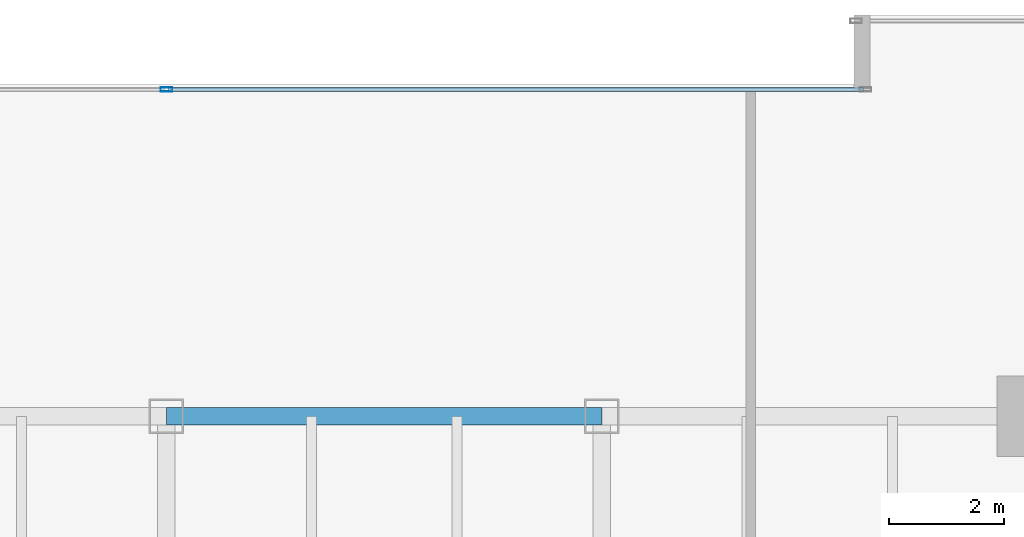
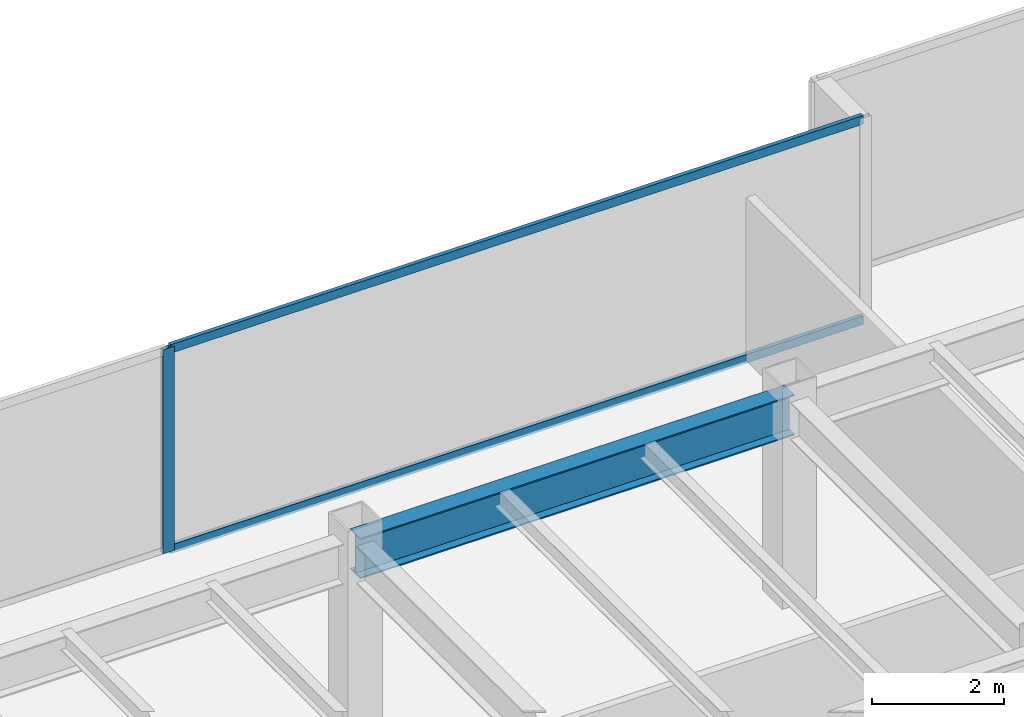
# One storey, part 18 of 35: 3 members, 1 beam, 1 element without a shape of its own.
"""IFC4 building model written with IfcOpenShell, lengths in metres."""

import ifcopenshell
import ifcopenshell.guid

model = None  # the IFC model being written
_history = None  # IfcOwnerHistory: only IFC2X3 demands one
_inside = {}  # id of a spatial element -> (the spatial element, [elements in it])
_under = {}  # id of a project, library or spatial element -> (it, [spatial elements below it])
_declared = {}  # id of a project -> (the project, [libraries it declares])
_typed = {}  # id of a type object -> (the type object, [elements of that type])
_made_of = {}  # id of a material, layer set ... -> (it, [elements and type objects made of it])


def new_model(schema):
    """Start an empty IFC model of exactly this schema.

    Asked for "IFC4X3", IfcOpenShell would pick the latest addendum, in which some entities
    have other attributes; the version numbers below select the first issue.
    IFC2X3 requires an IfcOwnerHistory on every rooted entity: one is made here for all.
    """
    global model, _history
    if schema == "IFC4X3":
        model = ifcopenshell.file(schema_version=(4, 3, 0, 0))
    else:
        model = ifcopenshell.file(schema=schema)
    _inside.clear()
    _under.clear()
    _declared.clear()
    _typed.clear()
    _made_of.clear()
    _history = None
    if model.schema == "IFC2X3":
        org = make("IfcOrganization", Name="unknown")
        user = make(
            "IfcPersonAndOrganization",
            ThePerson=make("IfcPerson", FamilyName="unknown"),
            TheOrganization=org,
        )
        app = make(
            "IfcApplication",
            ApplicationDeveloper=org,
            Version="unknown",
            ApplicationFullName="unknown",
            ApplicationIdentifier="unknown",
        )
        _history = make(
            "IfcOwnerHistory",
            OwningUser=user,
            OwningApplication=app,
            ChangeAction="ADDED",
            CreationDate=0,
        )
    return model


def make(cls, **values):
    """One entity of the class cls with the attributes given. An attribute that is None is left unset."""
    return model.create_entity(
        cls, **{name: value for name, value in values.items() if value is not None}
    )


def rooted(cls, **values):
    """An entity with a GlobalId (a new one), such as an element, a storey or a relation."""
    return make(cls, GlobalId=ifcopenshell.guid.new(), OwnerHistory=_history, **values)


def si_unit(unit_type, name, prefix=None):
    """IfcSIUnit, for example si_unit("LENGTHUNIT", "METRE", prefix="MILLI")."""
    return make("IfcSIUnit", UnitType=unit_type, Prefix=prefix, Name=name)


def assignment(units):
    """IfcUnitAssignment: the units of a project."""
    return None if units is None else make("IfcUnitAssignment", Units=units)


def point(xyz):
    """IfcCartesianPoint."""
    return None if xyz is None else make("IfcCartesianPoint", Coordinates=xyz)


def direction(xyz):
    """IfcDirection."""
    return None if xyz is None else make("IfcDirection", DirectionRatios=xyz)


def frame(location, z_axis=None, x_axis=None):
    """IfcAxis2Placement3D, a coordinate frame: its origin and axes. An axis left out is left unset."""
    return make(
        "IfcAxis2Placement3D",
        Location=point(location),
        Axis=direction(z_axis),
        RefDirection=direction(x_axis),
    )


def frame_2d(location, x_axis=None):
    """IfcAxis2Placement2D, a coordinate frame in the plane: its origin and x axis."""
    return make(
        "IfcAxis2Placement2D", Location=point(location), RefDirection=direction(x_axis)
    )


def origin():
    """The frame at (0, 0, 0) with its axes left unset."""
    return frame((0.0, 0.0, 0.0))


def origin_2d():
    """The frame at (0, 0) in the plane with its x axis left unset."""
    return frame_2d((0.0, 0.0))


def place(relative_to, where):
    """IfcLocalPlacement: puts the frame where relative to a parent placement (None: the world)."""
    return make(
        "IfcLocalPlacement", PlacementRelTo=relative_to, RelativePlacement=where
    )


def context(
    kind, dimensions, precision=None, world=None, true_north=None, identifier=None
):
    """IfcGeometricRepresentationContext, for example the 3D "Model" context."""
    return make(
        "IfcGeometricRepresentationContext",
        ContextIdentifier=identifier,
        ContextType=kind,
        CoordinateSpaceDimension=dimensions,
        Precision=precision,
        WorldCoordinateSystem=world,
        TrueNorth=true_north,
    )


def subcontext(parent, identifier, kind, view, scale=None):
    """IfcGeometricRepresentationSubContext, for example "Body" below "Model"."""
    return make(
        "IfcGeometricRepresentationSubContext",
        ContextIdentifier=identifier,
        ContextType=kind,
        ParentContext=parent,
        TargetScale=scale,
        TargetView=view,
    )


def project(units=None, contexts=None):
    """IfcProject with its units and contexts."""
    return rooted(
        "IfcProject",
        Name="project",
        RepresentationContexts=contexts,
        UnitsInContext=assignment(units),
    )


def spatial(cls, under=None, at=None, **own):
    """A site, building, storey or space (cls), placed at a placement, below another one or the project."""
    s = rooted(cls, ObjectPlacement=at, **own)
    if under is not None:
        _under.setdefault(under.id(), (under, []))[1].append(s)
    return s


def profile(cls, at=None, kind="AREA", **sizes):
    """A parametric profile (cls). Its sizes go by their IFC names, for example OverallWidth=200.0."""
    return make(cls, ProfileType=kind, Position=at, **sizes)


def hollow_rectangle(**sizes):
    """IfcRectangleHollowProfileDef."""
    return profile("IfcRectangleHollowProfileDef", **sizes)


def i_section(**sizes):
    """IfcIShapeProfileDef."""
    return profile("IfcIShapeProfileDef", **sizes)


def extrude(swept, where, along, depth):
    """IfcExtrudedAreaSolid: the profile swept, set in the frame where, extruded along a direction by depth."""
    return make(
        "IfcExtrudedAreaSolid",
        SweptArea=swept,
        Position=where,
        ExtrudedDirection=direction(along),
        Depth=depth,
    )


def shape(context_of_items, identifier, shape_type, items):
    """IfcShapeRepresentation: the items that make up one representation, for example the "Body"."""
    return make(
        "IfcShapeRepresentation",
        ContextOfItems=context_of_items,
        RepresentationIdentifier=identifier,
        RepresentationType=shape_type,
        Items=items,
    )


def source(mapping_origin, context_of_items, identifier, shape_type, items):
    """IfcRepresentationMap: a shape defined once, which mapped items show again and again."""
    return make(
        "IfcRepresentationMap",
        MappingOrigin=mapping_origin,
        MappedRepresentation=shape(context_of_items, identifier, shape_type, items),
    )


def transform(
    local_origin,
    x_axis=None,
    y_axis=None,
    z_axis=None,
    scale=None,
    scale2=None,
    scale3=None,
    uniform=True,
):
    """IfcCartesianTransformationOperator3D, or its non-uniform kind. x_axis, y_axis, z_axis: its Axis1, 2, 3."""
    if uniform:
        return make(
            "IfcCartesianTransformationOperator3D",
            Axis1=direction(x_axis),
            Axis2=direction(y_axis),
            LocalOrigin=point(local_origin),
            Scale=scale,
            Axis3=direction(z_axis),
        )
    return make(
        "IfcCartesianTransformationOperator3DnonUniform",
        Axis1=direction(x_axis),
        Axis2=direction(y_axis),
        LocalOrigin=point(local_origin),
        Scale=scale,
        Axis3=direction(z_axis),
        Scale2=scale2,
        Scale3=scale3,
    )


def mapped(mapping_source, mapping_target):
    """IfcMappedItem: shows the shape of a source again, moved by a transform."""
    return make(
        "IfcMappedItem", MappingSource=mapping_source, MappingTarget=mapping_target
    )


def material(Name=None, Category=None):
    """IfcMaterial."""
    return make("IfcMaterial", Name=Name, Category=Category)


def layer(
    of_material, thickness, ventilated=None, Name=None, Category=None, Priority=None
):
    """IfcMaterialLayer: one layer of a wall or slab, of a material (None: an air gap)."""
    return make(
        "IfcMaterialLayer",
        Material=of_material,
        LayerThickness=thickness,
        IsVentilated=ventilated,
        Name=Name,
        Category=Category,
        Priority=Priority,
    )


def layer_set(layers, Name=None):
    """IfcMaterialLayerSet."""
    return make("IfcMaterialLayerSet", MaterialLayers=layers, LayerSetName=Name)


def material_profile(
    of_material, cross_section, Name=None, Category=None, Priority=None
):
    """IfcMaterialProfile: a cross section and its material."""
    return make(
        "IfcMaterialProfile",
        Name=Name,
        Material=of_material,
        Profile=cross_section,
        Priority=Priority,
        Category=Category,
    )


def profile_set(profiles, Name=None, composite=None):
    """IfcMaterialProfileSet."""
    return make(
        "IfcMaterialProfileSet",
        Name=Name,
        MaterialProfiles=profiles,
        CompositeProfile=composite,
    )


def made_of(thing, what):
    """Note that an element or type object is made of a material, layer set ...; save() writes the relation."""
    if what is not None:
        _made_of.setdefault(what.id(), (what, []))[1].append(thing)
    return thing


def type_object(cls, material=None, **own):
    """A type object (cls), such as IfcWallType, which elements share."""
    return made_of(rooted(cls, **own), material)


def type_shapes(of_type, sources):
    """Give a type object the sources (RepresentationMaps) that its elements show as mapped items."""
    of_type.RepresentationMaps = sources


def element(
    cls,
    number,
    at=None,
    inside=None,
    cuts=None,
    type_object=None,
    material=None,
    context=None,
    identifier="Body",
    shape_type=None,
    held_by="IfcProductDefinitionShape",
    body=None,
    shapes=None,
    **own,
):
    """One element of the class cls, such as IfcWall. Its Tag is "e" and its number.

    at: its placement. inside: the storey or other place that contains it. cuts: it is an
    opening in that element (IfcRelVoidsElement). A single representation is given by context,
    identifier, shape_type and body (its items); several are given by shapes. held_by: the class
    of the entity that holds the representations. save() writes the other relations.
    """
    e = rooted(cls, Tag="e%d" % number, ObjectPlacement=at, **own)
    if body is not None:
        shapes = [shape(context, identifier, shape_type, body)]
    if shapes is not None:
        e.Representation = make(held_by, Representations=shapes)
    if inside is not None:
        _inside.setdefault(inside.id(), (inside, []))[1].append(e)
    if cuts is not None:
        rooted(
            "IfcRelVoidsElement", RelatingBuildingElement=cuts, RelatedOpeningElement=e
        )
    if type_object is not None:
        _typed.setdefault(type_object.id(), (type_object, []))[1].append(e)
    return made_of(e, material)


def aggregate(whole, parts):
    """IfcRelAggregates: a whole, such as a stair, and the parts it consists of."""
    return rooted("IfcRelAggregates", RelatingObject=whole, RelatedObjects=parts)


def save(model, path):
    """Write the relations noted so far, then the file.

    IfcRelAggregates (storeys below a building ...), IfcRelContainedInSpatialStructure (elements
    in a storey), IfcRelDefinesByType, IfcRelAssociatesMaterial and IfcRelDeclares: one each for
    every whole, place, type object, material and project.
    """
    for whole, parts in _under.values():
        aggregate(whole, parts)
    for where, things in _inside.values():
        rooted(
            "IfcRelContainedInSpatialStructure",
            RelatedElements=things,
            RelatingStructure=where,
        )
    for kind, things in _typed.values():
        rooted("IfcRelDefinesByType", RelatedObjects=things, RelatingType=kind)
    for what, things in _made_of.values():
        rooted("IfcRelAssociatesMaterial", RelatedObjects=things, RelatingMaterial=what)
    for by, libraries in _declared.values():
        rooted("IfcRelDeclares", RelatingContext=by, RelatedDefinitions=libraries)
    model.write(path)


model = new_model("IFC4")

# Units and contexts
model_context = context("Model", 3, precision=1e-05, world=origin(), true_north=direction((0.0, 1.0)))
body_context = subcontext(model_context, "Body", "Model", "MODEL_VIEW")
ifc_project = project(units=[si_unit("LENGTHUNIT", "METRE"), si_unit("AREAUNIT", "SQUARE_METRE"), si_unit("VOLUMEUNIT", "CUBIC_METRE"), si_unit("PLANEANGLEUNIT", "RADIAN"), si_unit("MASSUNIT", "GRAM", prefix="KILO")], contexts=[model_context])

# Site, building, storey
site_placement = place(None, origin())
site = spatial("IfcSite", under=ifc_project, at=site_placement, CompositionType="ELEMENT")
building_placement = place(site_placement, origin())
building = spatial("IfcBuilding", under=site, at=building_placement, Name="Haelvirn Gate Laboratories", CompositionType="ELEMENT")
storey_placement = place(building_placement, frame((0.0, 0.0, 37.5)))
storey = spatial("IfcBuildingStorey", under=building, at=storey_placement, Name="L09", CompositionType="ELEMENT", Elevation=37.5)

# Beam
ifc_material_1 = material(Name="Steel SM355", Category="steel")
ifc_material_profile_1 = material_profile(ifc_material_1, i_section(OverallWidth=0.300048828125, OverallDepth=0.75, WebThickness=0.013916015625, FlangeThickness=0.02392578125, at=origin_2d()), Name="H-750x300x14x24")
ifc_profile_set_1 = profile_set([ifc_material_profile_1], Name="Steel SM355")
beam_type = type_object("IfcBeamType", Name="BM-G-750", PredefinedType="BEAM", material=ifc_profile_set_1)
shared_shape_1 = source(origin(), body_context, "Body", "SweptSolid", [
    extrude(i_section(OverallWidth=0.300048828125, OverallDepth=0.75, WebThickness=0.013916015625, FlangeThickness=0.02392578125, at=origin_2d()), origin(), (0.0, 0.0, 1.0), 7.60009765625),
])
type_shapes(beam_type, [shared_shape_1])
beam_placement = place(storey_placement, frame((37.39990234375, 41.60009765625, 3.405029296875), z_axis=(1.0, 0.0, 0.0), x_axis=(0.0, 1.0, 0.0)))
element("IfcBeam", 1, at=beam_placement, inside=storey, type_object=beam_type, Name="L09 Primary Girder Y41.6 (37.4-45.0)", PredefinedType="BEAM", context=body_context, shape_type="MappedRepresentation", body=[
    mapped(shared_shape_1, transform((0.0, 0.0, 0.0), scale=1.0)),
])

# Curtain wall, members
ifc_material_2 = material(Name="Anodised bronze unitised aluminium & triple low-E glass", Category="aluminium")
ifc_layer = layer(ifc_material_2, 0.18408203125, Name="CW-SYS-2")
ifc_layer_set = layer_set([ifc_layer], Name="Anodised bronze unitised aluminium & triple low-E glass")
curtain_wall_type = type_object("IfcCurtainWallType", Name="CW-SYS-2", PredefinedType="NOTDEFINED", material=ifc_layer_set)
curtain_wall_placement = place(storey_placement, origin())
curtain_wall = element("IfcCurtainWall", 2, at=curtain_wall_placement, inside=storey, type_object=curtain_wall_type, Name="L09 Unitised Curtain Wall CW-L09-P0-E12-1", PredefinedType="NOTDEFINED")
ifc_material_3 = material(Name="Extruded aluminium 6063-T6 (anodised bronze)", Category="aluminium")
ifc_material_profile_2 = material_profile(ifc_material_3, hollow_rectangle(XDim=0.074951171875, YDim=0.199951171875, WallThickness=0.0048828125, at=origin_2d()), Name="CWM-200x75x5")
ifc_profile_set_2 = profile_set([ifc_material_profile_2], Name="Extruded aluminium 6063-T6 (anodised bronze)")
member_type_1 = type_object("IfcMemberType", Name="CWM-T200", PredefinedType="MULLION", material=ifc_profile_set_2)
shared_shape_2 = source(origin(), body_context, "Body", "SweptSolid", [
    extrude(hollow_rectangle(XDim=0.074951171875, YDim=0.199951171875, WallThickness=0.0048828125, at=origin_2d()), origin(), (0.0, 0.0, 1.0), 3.780029296875),
])
type_shapes(member_type_1, [shared_shape_2])
member_1_placement = place(storey_placement, frame((37.39990234375, 47.300048828125, 0.0), z_axis=(0.0, 0.0, 1.0), x_axis=(0.0, 1.0, 0.0)))
member_1 = element("IfcMember", 3, at=member_1_placement, type_object=member_type_1, Name="CW2 mullion 2", PredefinedType="MULLION", context=body_context, shape_type="MappedRepresentation", body=[
    mapped(shared_shape_2, transform((0.0, 0.0, 0.0), scale=1.0)),
])
ifc_material_profile_3 = material_profile(ifc_material_3, hollow_rectangle(XDim=0.070068359375, YDim=0.159912109375, WallThickness=0.0048828125, at=origin_2d()), Name="CWT-160x70x5")
ifc_profile_set_3 = profile_set([ifc_material_profile_3], Name="Extruded aluminium 6063-T6 (anodised bronze)")
member_type_2 = type_object("IfcMemberType", Name="CWT-T160", PredefinedType="USERDEFINED", material=ifc_profile_set_3)
shared_shape_3 = source(origin(), body_context, "Body", "SweptSolid", [
    extrude(hollow_rectangle(XDim=0.070068359375, YDim=0.159912109375, WallThickness=0.0048828125, at=origin_2d()), origin(), (0.0, 0.0, 1.0), 12.12744140625),
])
type_shapes(member_type_2, [shared_shape_3])
member_2_placement = place(storey_placement, frame((37.4375, 47.300048828125, 0.034912109375), z_axis=(1.0, 0.0, 0.0), x_axis=(0.0, 1.0, 0.0)))
member_2 = element("IfcMember", 4, at=member_2_placement, type_object=member_type_2, Name="CW2 transom 2.1", ObjectType="TRANSOM", PredefinedType="USERDEFINED", context=body_context, shape_type="MappedRepresentation", body=[
    mapped(shared_shape_3, transform((0.0, 0.0, 0.0), scale=1.0)),
])
member_3_placement = place(storey_placement, frame((37.4375, 47.300048828125, 3.7451171875), z_axis=(1.0, 0.0, 0.0), x_axis=(0.0, 1.0, 0.0)))
member_3 = element("IfcMember", 5, at=member_3_placement, type_object=member_type_2, Name="CW2 transom 2.2", ObjectType="TRANSOM", PredefinedType="USERDEFINED", context=body_context, shape_type="MappedRepresentation", body=[
    mapped(shared_shape_3, transform((0.0, 0.0, 0.0), scale=1.0)),
])
aggregate(curtain_wall, [member_1, member_2, member_3])

save(model, "model.ifc")
